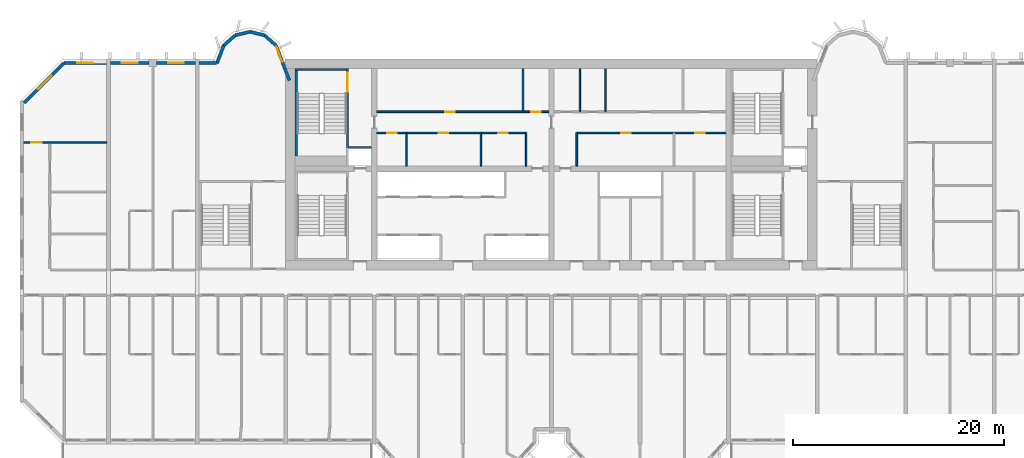
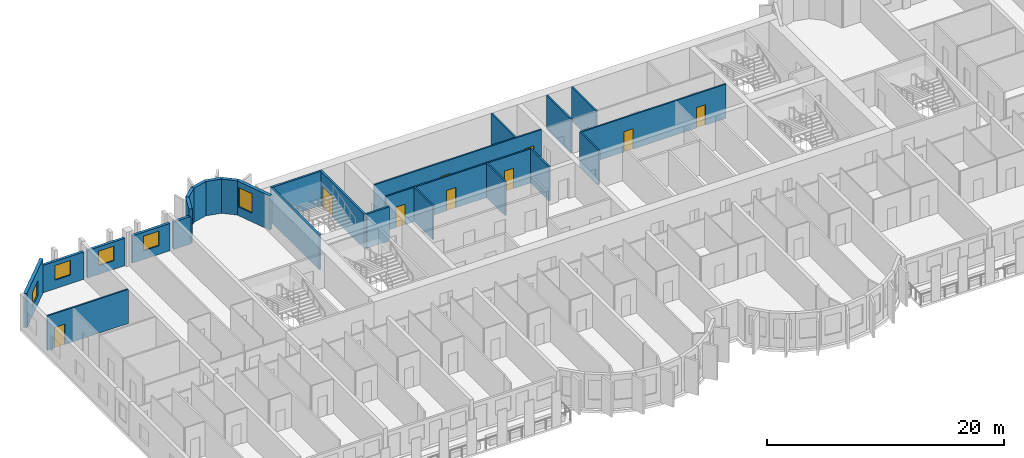
# One storey, part 7 of 15: 26 walls, 9 doors, 5 windows, 14 openings.
"""IFC4 building model written with IfcOpenShell, lengths in metres."""

from ifc_helpers import new_model, si_unit, direction, frame, frame_2d, origin, place, context, subcontext, project, spatial, rectangle, extrude, source, transform, mapped, material, layer, layer_set, type_object, element, fill, save


model = new_model("IFC4")

# Units and contexts
model_context = context("Model", 3, precision=1e-05, world=origin(), true_north=direction((0.0, 1.0)))
body_context = subcontext(model_context, "Body", "Model", "MODEL_VIEW")
ifc_project = project(units=[si_unit("LENGTHUNIT", "METRE"), si_unit("AREAUNIT", "SQUARE_METRE"), si_unit("VOLUMEUNIT", "CUBIC_METRE"), si_unit("PLANEANGLEUNIT", "RADIAN"), si_unit("MASSUNIT", "GRAM", prefix="KILO")], contexts=[model_context])

# Site, building, storey
site_placement = place(None, origin())
site = spatial("IfcSite", under=ifc_project, at=site_placement, CompositionType="ELEMENT")
building_placement = place(site_placement, origin())
building = spatial("IfcBuilding", under=site, at=building_placement, Name="Vanashikhar Sky Hotel", CompositionType="ELEMENT")
storey_placement = place(building_placement, frame((0.0, 0.0, 110.39990234375)))
storey = spatial("IfcBuildingStorey", under=building, at=storey_placement, Name="L26", CompositionType="ELEMENT", Elevation=110.39990234375)

# Wall, opening, window
ifc_material_1 = material(Name="Concrete M50", Category="concrete")
ifc_layer_1 = layer(ifc_material_1, 0.300048828125)
ifc_layer_set_1 = layer_set([ifc_layer_1], Name="Lobe wall 300")
wall_type_1 = type_object("IfcWallType", Name="Lobe wall 300", PredefinedType="SOLIDWALL", material=ifc_layer_set_1)
shared_shape_1 = source(origin(), body_context, "Body", "SweptSolid", [
    extrude(rectangle(XDim=5.32568359375, YDim=0.300048828125, at=frame_2d((2.662841796875, 0.0))), origin(), (0.0, 0.0, 1.0), 3.52001953125),
])
wall_1_placement = place(storey_placement, frame((4.165771484375, 41.60009765625, 0.0), z_axis=(0.0, 0.0, 1.0), x_axis=(-0.707106781187, -0.707106781187, 0.0)))
wall_1 = element("IfcWall", 1, at=wall_1_placement, inside=storey, type_object=wall_type_1, Name="Corner wall", PredefinedType="SOLIDWALL", context=body_context, shape_type="MappedRepresentation", body=[
    mapped(shared_shape_1, transform((0.0, 0.0, 0.0), scale=1.0)),
])
shared_shape_2 = source(origin(), body_context, "Body", "SweptSolid", [
    extrude(rectangle(XDim=1.800048828125, YDim=1.5, at=frame_2d((0.89990234375, 0.75))), frame((0.0, 0.16015625, 0.0), z_axis=(0.0, -1.0, 0.0), x_axis=(1.0, 0.0, 0.0)), (0.0, 0.0, 1.0), 0.320068359375),
])
opening_1_placement = place(wall_1_placement, frame((1.671875, 0.0, 0.89990234375)))
opening_1 = element("IfcOpeningElement", 2, at=opening_1_placement, cuts=wall_1, Name="Opening WN-4", PredefinedType="OPENING", context=body_context, shape_type="MappedRepresentation", body=[
    mapped(shared_shape_2, transform((0.0, 0.0, 0.0), scale=1.0)),
])
ifc_material_2 = material(Name="Glass", Category="glass")
window_type_1 = type_object("IfcWindowType", Name="Corner window 1800 x 1500", PartitioningType="SINGLE_PANEL", PredefinedType="WINDOW", material=ifc_material_2)
shared_shape_3 = source(origin(), body_context, "Body", "SweptSolid", [
    extrude(rectangle(XDim=1.800048828125, YDim=1.5, at=frame_2d((0.89990234375, 0.75))), frame((0.0, 0.030029296875, 0.0), z_axis=(0.0, -1.0, 0.0), x_axis=(1.0, 0.0, 0.0)), (0.0, 0.0, 1.0), 0.06005859375),
])
window_1_placement = place(opening_1_placement, origin())
window_1 = element("IfcWindow", 3, at=window_1_placement, inside=storey, type_object=window_type_1, Name="Window WN-4", OverallHeight=1.5, OverallWidth=1.800048828125, PartitioningType="SINGLE_PANEL", PredefinedType="WINDOW", context=body_context, shape_type="MappedRepresentation", body=[
    mapped(shared_shape_3, transform((0.0, 0.0, 0.0), scale=1.0)),
])
fill(opening_1, window_1)

shared_shape_4 = source(origin(), body_context, "Body", "SweptSolid", [
    extrude(rectangle(XDim=3.55908203125, YDim=0.300048828125, at=frame_2d((1.779541015625, 0.0))), origin(), (0.0, 0.0, 1.0), 3.52001953125),
])
wall_2_placement = place(storey_placement, frame((25.550048828125, 39.968505859375, 0.0), z_axis=(0.0, 0.0, 1.0), x_axis=(-0.35779745313, 0.933799219604, 0.0)))
wall_2 = element("IfcWall", 4, at=wall_2_placement, inside=storey, type_object=wall_type_1, Name="Lobe wall", PredefinedType="SOLIDWALL", context=body_context, shape_type="MappedRepresentation", body=[
    mapped(shared_shape_4, transform((0.0, 0.0, 0.0), scale=1.0)),
])
shared_shape_5 = source(origin(), body_context, "Body", "SweptSolid", [
    extrude(rectangle(XDim=1.5, YDim=2.0, at=frame_2d((0.75, 1.0))), frame((0.0, 0.16015625, 0.0), z_axis=(0.0, -1.0, 0.0), x_axis=(1.0, 0.0, 0.0)), (0.0, 0.0, 1.0), 0.320068359375),
])
opening_2_placement = place(wall_2_placement, frame((1.9033203125, 0.0, 0.89990234375)))
opening_2 = element("IfcOpeningElement", 5, at=opening_2_placement, cuts=wall_2, Name="Opening WN-2", PredefinedType="OPENING", context=body_context, shape_type="MappedRepresentation", body=[
    mapped(shared_shape_5, transform((0.0, 0.0, 0.0), scale=1.0)),
])
window_type_2 = type_object("IfcWindowType", Name="Lobe window 1500 x 2000", PartitioningType="SINGLE_PANEL", PredefinedType="WINDOW", material=ifc_material_2)
shared_shape_6 = source(origin(), body_context, "Body", "SweptSolid", [
    extrude(rectangle(XDim=1.5, YDim=2.0, at=frame_2d((0.75, 1.0))), frame((0.0, 0.030029296875, 0.0), z_axis=(0.0, -1.0, 0.0), x_axis=(1.0, 0.0, 0.0)), (0.0, 0.0, 1.0), 0.06005859375),
])
window_2_placement = place(opening_2_placement, origin())
window_2 = element("IfcWindow", 6, at=window_2_placement, inside=storey, type_object=window_type_2, Name="Window WN-2", OverallHeight=2.0, OverallWidth=1.5, PartitioningType="SINGLE_PANEL", PredefinedType="WINDOW", context=body_context, shape_type="MappedRepresentation", body=[
    mapped(shared_shape_6, transform((0.0, 0.0, 0.0), scale=1.0)),
])
fill(opening_2, window_2)

# Walls
shared_shape_7 = source(origin(), body_context, "Body", "SweptSolid", [
    extrude(rectangle(XDim=1.440185546875, YDim=0.300048828125, at=frame_2d((0.72021484375, 0.0))), origin(), (0.0, 0.0, 1.0), 3.52001953125),
])
wall_3_placement = place(storey_placement, frame((24.276611328125, 43.2919921875, 0.0), z_axis=(0.0, 0.0, 1.0), x_axis=(-0.749649827867, 0.661834673902, 0.0)))
element("IfcWall", 7, at=wall_3_placement, inside=storey, type_object=wall_type_1, Name="Lobe wall", PredefinedType="SOLIDWALL", context=body_context, shape_type="MappedRepresentation", body=[
    mapped(shared_shape_7, transform((0.0, 0.0, 0.0), scale=1.0)),
])
shared_shape_8 = source(origin(), body_context, "Body", "SweptSolid", [
    extrude(rectangle(XDim=1.4384765625, YDim=0.300048828125, at=frame_2d((0.71923828125, 0.0))), origin(), (0.0, 0.0, 1.0), 3.52001953125),
])
wall_4_placement = place(storey_placement, frame((23.197021484375, 44.2451171875, 0.0), z_axis=(0.0, 0.0, 1.0), x_axis=(-0.971152283879, 0.238460146601, 0.0)))
element("IfcWall", 8, at=wall_4_placement, inside=storey, type_object=wall_type_1, Name="Lobe wall", PredefinedType="SOLIDWALL", context=body_context, shape_type="MappedRepresentation", body=[
    mapped(shared_shape_8, transform((0.0, 0.0, 0.0), scale=1.0)),
])
shared_shape_9 = source(origin(), body_context, "Body", "SweptSolid", [
    extrude(rectangle(XDim=1.438720703125, YDim=0.300048828125, at=frame_2d((0.71923828125, 0.0))), origin(), (0.0, 0.0, 1.0), 3.52001953125),
])
wall_5_placement = place(storey_placement, frame((21.800048828125, 44.588134765625, 0.0), z_axis=(0.0, 0.0, 1.0), x_axis=(-0.971161932466, -0.238420848351, 0.0)))
element("IfcWall", 9, at=wall_5_placement, inside=storey, type_object=wall_type_1, Name="Lobe wall", PredefinedType="SOLIDWALL", context=body_context, shape_type="MappedRepresentation", body=[
    mapped(shared_shape_9, transform((0.0, 0.0, 0.0), scale=1.0)),
])
shared_shape_10 = source(origin(), body_context, "Body", "SweptSolid", [
    extrude(rectangle(XDim=1.43994140625, YDim=0.300048828125, at=frame_2d((0.719970703125, 0.0))), origin(), (0.0, 0.0, 1.0), 3.52001953125),
])
wall_6_placement = place(storey_placement, frame((20.40283203125, 44.2451171875, 0.0), z_axis=(0.0, 0.0, 1.0), x_axis=(-0.74957555648, -0.661918790432, 0.0)))
element("IfcWall", 10, at=wall_6_placement, inside=storey, type_object=wall_type_1, Name="Lobe wall", PredefinedType="SOLIDWALL", context=body_context, shape_type="MappedRepresentation", body=[
    mapped(shared_shape_10, transform((0.0, 0.0, 0.0), scale=1.0)),
])
shared_shape_11 = source(origin(), body_context, "Body", "SweptSolid", [
    extrude(rectangle(XDim=1.81201171875, YDim=0.300048828125, at=frame_2d((0.906005859375, 0.0))), origin(), (0.0, 0.0, 1.0), 3.52001953125),
])
wall_7_placement = place(storey_placement, frame((19.323486328125, 43.2919921875, 0.0), z_axis=(0.0, 0.0, 1.0), x_axis=(-0.357877270961, -0.93376863244, 0.0)))
element("IfcWall", 11, at=wall_7_placement, inside=storey, type_object=wall_type_1, Name="Lobe wall", PredefinedType="SOLIDWALL", context=body_context, shape_type="MappedRepresentation", body=[
    mapped(shared_shape_11, transform((0.0, 0.0, 0.0), scale=1.0)),
])

# Wall, opening, window
ifc_layer_2 = layer(ifc_material_1, 0.25)
ifc_layer_set_2 = layer_set([ifc_layer_2], Name="Rear and end board-marked wall 250")
wall_type_2 = type_object("IfcWallType", Name="Rear and end board-marked wall 250", PredefinedType="SOLIDWALL", material=ifc_layer_set_2)
shared_shape_12 = source(origin(), body_context, "Body", "SweptSolid", [
    extrude(rectangle(XDim=4.06982421875, YDim=0.25, at=frame_2d((2.034912109375, 0.0))), origin(), (0.0, 0.0, 1.0), 2.820068359375),
])
wall_8_placement = place(storey_placement, frame((8.22509765625, 41.625, 0.0), z_axis=(0.0, 0.0, 1.0), x_axis=(-1.0, 0.0, 0.0)))
wall_8 = element("IfcWall", 12, at=wall_8_placement, inside=storey, type_object=wall_type_2, Name="Rear board-marked wall", PredefinedType="SOLIDWALL", context=body_context, shape_type="MappedRepresentation", body=[
    mapped(shared_shape_12, transform((0.0, 0.0, 0.0), scale=1.0)),
])
shared_shape_13 = source(origin(), body_context, "Body", "SweptSolid", [
    extrude(rectangle(XDim=1.5, YDim=1.5, at=frame_2d((0.75, 0.75))), frame((0.0, 0.135009765625, 0.0), z_axis=(0.0, -1.0, 0.0), x_axis=(1.0, 0.0, 0.0)), (0.0, 0.0, 1.0), 0.27001953125),
])
opening_3_placement = place(wall_8_placement, frame((1.284912109375, 0.0, 0.89990234375)))
opening_3 = element("IfcOpeningElement", 13, at=opening_3_placement, cuts=wall_8, Name="Opening WN-1", PredefinedType="OPENING", context=body_context, shape_type="MappedRepresentation", body=[
    mapped(shared_shape_13, transform((0.0, 0.0, 0.0), scale=1.0)),
])
window_type_3 = type_object("IfcWindowType", Name="Window 1500 x 1500", PartitioningType="SINGLE_PANEL", PredefinedType="WINDOW", material=ifc_material_2)
shared_shape_14 = source(origin(), body_context, "Body", "SweptSolid", [
    extrude(rectangle(XDim=1.5, YDim=1.5, at=frame_2d((0.75, 0.75))), frame((0.0, 0.030029296875, 0.0), z_axis=(0.0, -1.0, 0.0), x_axis=(1.0, 0.0, 0.0)), (0.0, 0.0, 1.0), 0.06005859375),
])
window_3_placement = place(opening_3_placement, origin())
window_3 = element("IfcWindow", 14, at=window_3_placement, inside=storey, type_object=window_type_3, Name="Window WN-1", OverallHeight=1.5, OverallWidth=1.5, PartitioningType="SINGLE_PANEL", PredefinedType="WINDOW", context=body_context, shape_type="MappedRepresentation", body=[
    mapped(shared_shape_14, transform((0.0, 0.0, 0.0), scale=1.0)),
])
fill(opening_3, window_3)

shared_shape_15 = source(origin(), body_context, "Body", "SweptSolid", [
    extrude(rectangle(XDim=3.675048828125, YDim=0.25, at=frame_2d((1.83740234375, 0.0))), origin(), (0.0, 0.0, 1.0), 2.820068359375),
])
wall_9_placement = place(storey_placement, frame((12.25, 41.625, 0.0), z_axis=(0.0, 0.0, 1.0), x_axis=(-1.0, 0.0, 0.0)))
wall_9 = element("IfcWall", 15, at=wall_9_placement, inside=storey, type_object=wall_type_2, Name="Rear board-marked wall", PredefinedType="SOLIDWALL", context=body_context, shape_type="MappedRepresentation", body=[
    mapped(shared_shape_15, transform((0.0, 0.0, 0.0), scale=1.0)),
])
opening_4_placement = place(wall_9_placement, frame((1.08740234375, 0.0, 0.89990234375)))
opening_4 = element("IfcOpeningElement", 16, at=opening_4_placement, cuts=wall_9, Name="Opening WN-1", PredefinedType="OPENING", context=body_context, shape_type="MappedRepresentation", body=[
    mapped(shared_shape_13, transform((0.0, 0.0, 0.0), scale=1.0)),
])
window_4_placement = place(opening_4_placement, origin())
window_4 = element("IfcWindow", 17, at=window_4_placement, inside=storey, type_object=window_type_3, Name="Window WN-1", OverallHeight=1.5, OverallWidth=1.5, PartitioningType="SINGLE_PANEL", PredefinedType="WINDOW", context=body_context, shape_type="MappedRepresentation", body=[
    mapped(shared_shape_14, transform((0.0, 0.0, 0.0), scale=1.0)),
])
fill(opening_4, window_4)

wall_10_placement = place(storey_placement, frame((16.625, 41.625, 0.0), z_axis=(0.0, 0.0, 1.0), x_axis=(-1.0, 0.0, 0.0)))
wall_10 = element("IfcWall", 18, at=wall_10_placement, inside=storey, type_object=wall_type_2, Name="Rear board-marked wall", PredefinedType="SOLIDWALL", context=body_context, shape_type="MappedRepresentation", body=[
    mapped(shared_shape_15, transform((0.0, 0.0, 0.0), scale=1.0)),
])
opening_5_placement = place(wall_10_placement, frame((1.08740234375, 0.0, 0.89990234375)))
opening_5 = element("IfcOpeningElement", 19, at=opening_5_placement, cuts=wall_10, Name="Opening WN-1", PredefinedType="OPENING", context=body_context, shape_type="MappedRepresentation", body=[
    mapped(shared_shape_13, transform((0.0, 0.0, 0.0), scale=1.0)),
])
window_5_placement = place(opening_5_placement, origin())
window_5 = element("IfcWindow", 20, at=window_5_placement, inside=storey, type_object=window_type_3, Name="Window WN-1", OverallHeight=1.5, OverallWidth=1.5, PartitioningType="SINGLE_PANEL", PredefinedType="WINDOW", context=body_context, shape_type="MappedRepresentation", body=[
    mapped(shared_shape_14, transform((0.0, 0.0, 0.0), scale=1.0)),
])
fill(opening_5, window_5)

# Walls
shared_shape_16 = source(origin(), body_context, "Body", "SweptSolid", [
    extrude(rectangle(XDim=1.682861328125, YDim=0.25, at=frame_2d((0.84130859375, 0.0))), origin(), (0.0, 0.0, 1.0), 2.820068359375),
])
wall_11_placement = place(storey_placement, frame((18.657958984375, 41.625, 0.0), z_axis=(0.0, 0.0, 1.0), x_axis=(-1.0, 0.0, 0.0)))
element("IfcWall", 21, at=wall_11_placement, inside=storey, type_object=wall_type_2, Name="Rear board-marked wall", PredefinedType="SOLIDWALL", context=body_context, shape_type="MappedRepresentation", body=[
    mapped(shared_shape_16, transform((0.0, 0.0, 0.0), scale=1.0)),
])
ifc_material_3 = material(Name="Gypsum board partition")
ifc_layer_3 = layer(ifc_material_3, 0.14990234375)
ifc_layer_set_3 = layer_set([ifc_layer_3], Name="Service partition 150")
wall_type_3 = type_object("IfcWallType", Name="Service partition 150", PredefinedType="PARTITIONING", material=ifc_layer_set_3)
shared_shape_17 = source(origin(), body_context, "Body", "SweptSolid", [
    extrude(rectangle(XDim=3.14990234375, YDim=0.14990234375, at=frame_2d((1.574951171875, 0.0))), origin(), (0.0, 0.0, 1.0), 3.52001953125),
])
for number, where, z_axis, x_axis, name in (
    (22, (48.0, 31.85009765625, 0.0), (0.0, 0.0, 1.0), (0.0, 1.0, 0.0), "Service partition 150"),
    (23, (36.6650390625, 31.85009765625, 0.0), (0.0, 0.0, 1.0), (0.0, 1.0, 0.0), "Service partition 150"),
    (24, (43.702880859375, 31.85009765625, 0.0), (0.0, 0.0, 1.0), (0.0, 1.0, 0.0), "Service partition 150"),
    (25, (52.800048828125, 31.85009765625, 0.0), (0.0, 0.0, 1.0), (0.0, 1.0, 0.0), "Service partition 150"),
):
    element("IfcWall", number, at=place(storey_placement, frame(where, z_axis=z_axis, x_axis=x_axis)), inside=storey, type_object=wall_type_3, Name=name, PredefinedType="PARTITIONING", context=body_context, shape_type="MappedRepresentation", body=[
        mapped(shared_shape_17, transform((0.0, 0.0, 0.0), scale=1.0)),
    ])

# Wall, openings, doors
shared_shape_18 = source(origin(), body_context, "Body", "SweptSolid", [
    extrude(rectangle(XDim=14.14990234375, YDim=0.14990234375, at=frame_2d((7.074951171875, 0.0))), origin(), (0.0, 0.0, 1.0), 3.52001953125),
])
wall_12_placement = place(storey_placement, frame((33.85009765625, 35.0, 0.0), z_axis=(0.0, 0.0, 1.0), x_axis=(1.0, 0.0, 0.0)))
wall_12 = element("IfcWall", 26, at=wall_12_placement, inside=storey, type_object=wall_type_3, Name="Service partition 150", PredefinedType="PARTITIONING", context=body_context, shape_type="MappedRepresentation", body=[
    mapped(shared_shape_18, transform((0.0, 0.0, 0.0), scale=1.0)),
])
shared_shape_19 = source(origin(), body_context, "Body", "SweptSolid", [
    extrude(rectangle(XDim=0.89990234375, YDim=2.10009765625, at=frame_2d((0.449951171875, 1.050048828125))), frame((0.0, 0.0849609375, 0.0), z_axis=(0.0, -1.0, 0.0), x_axis=(1.0, 0.0, 0.0)), (0.0, 0.0, 1.0), 0.169921875),
])
opening_6_placement = place(wall_12_placement, frame((0.9580078125, 0.0, 0.0)))
opening_6 = element("IfcOpeningElement", 27, at=opening_6_placement, cuts=wall_12, Name="Opening DC-4-A", PredefinedType="OPENING", context=body_context, shape_type="MappedRepresentation", body=[
    mapped(shared_shape_19, transform((0.0, 0.0, 0.0), scale=1.0)),
])
opening_7_placement = place(wall_12_placement, frame((5.884033203125, 0.0, 0.0)))
opening_7 = element("IfcOpeningElement", 28, at=opening_7_placement, cuts=wall_12, Name="Opening DC-4-A", PredefinedType="OPENING", context=body_context, shape_type="MappedRepresentation", body=[
    mapped(shared_shape_19, transform((0.0, 0.0, 0.0), scale=1.0)),
])
opening_8_placement = place(wall_12_placement, frame((11.513916015625, 0.0, 0.0)))
opening_8 = element("IfcOpeningElement", 29, at=opening_8_placement, cuts=wall_12, Name="Opening DC-4-A", PredefinedType="OPENING", context=body_context, shape_type="MappedRepresentation", body=[
    mapped(shared_shape_19, transform((0.0, 0.0, 0.0), scale=1.0)),
])
ifc_material_4 = material(Name="Steel", Category="steel")
door_type_1 = type_object("IfcDoorType", Name="Service door 900 FD60", OperationType="NOTDEFINED", PredefinedType="DOOR", material=ifc_material_4)
shared_shape_20 = source(origin(), body_context, "Body", "SweptSolid", [
    extrude(rectangle(XDim=0.89990234375, YDim=2.10009765625, at=frame_2d((0.449951171875, 1.050048828125))), frame((0.0, 0.02490234375, 0.0), z_axis=(0.0, -1.0, 0.0), x_axis=(1.0, 0.0, 0.0)), (0.0, 0.0, 1.0), 0.050048828125),
])
door_1_placement = place(opening_6_placement, origin())
door_1 = element("IfcDoor", 30, at=door_1_placement, inside=storey, type_object=door_type_1, Name="Service door 900 FD60", OperationType="SINGLE_SWING_RIGHT", OverallHeight=2.10009765625, OverallWidth=0.89990234375, PredefinedType="DOOR", context=body_context, shape_type="MappedRepresentation", body=[
    mapped(shared_shape_20, transform((0.0, 0.0, 0.0), scale=1.0)),
])
fill(opening_6, door_1)
door_2_placement = place(opening_7_placement, origin())
door_2 = element("IfcDoor", 31, at=door_2_placement, inside=storey, type_object=door_type_1, Name="Service door 900 FD60", OperationType="SINGLE_SWING_RIGHT", OverallHeight=2.10009765625, OverallWidth=0.89990234375, PredefinedType="DOOR", context=body_context, shape_type="MappedRepresentation", body=[
    mapped(shared_shape_20, transform((0.0, 0.0, 0.0), scale=1.0)),
])
fill(opening_7, door_2)
door_3_placement = place(opening_8_placement, origin())
door_3 = element("IfcDoor", 32, at=door_3_placement, inside=storey, type_object=door_type_1, Name="Service door 900 FD60", OperationType="SINGLE_SWING_LEFT", OverallHeight=2.10009765625, OverallWidth=0.89990234375, PredefinedType="DOOR", context=body_context, shape_type="MappedRepresentation", body=[
    mapped(shared_shape_20, transform((0.0, 0.0, 0.0), scale=1.0)),
])
fill(opening_8, door_3)

wall_13_placement = place(storey_placement, frame((66.949951171875, 35.0, 0.0), z_axis=(0.0, 0.0, 1.0), x_axis=(-1.0, 0.0, 0.0)))
wall_13 = element("IfcWall", 33, at=wall_13_placement, inside=storey, type_object=wall_type_3, Name="Service partition 150", PredefinedType="PARTITIONING", context=body_context, shape_type="MappedRepresentation", body=[
    mapped(shared_shape_18, transform((0.0, 0.0, 0.0), scale=1.0)),
])
opening_9_placement = place(wall_13_placement, frame((2.012939453125, 0.0, 0.0)))
opening_9 = element("IfcOpeningElement", 34, at=opening_9_placement, cuts=wall_13, Name="Opening DC-4-A", PredefinedType="OPENING", context=body_context, shape_type="MappedRepresentation", body=[
    mapped(shared_shape_19, transform((0.0, 0.0, 0.0), scale=1.0)),
])
opening_10_placement = place(wall_13_placement, frame((9.051025390625, 0.0, 0.0)))
opening_10 = element("IfcOpeningElement", 35, at=opening_10_placement, cuts=wall_13, Name="Opening DC-4-A", PredefinedType="OPENING", context=body_context, shape_type="MappedRepresentation", body=[
    mapped(shared_shape_19, transform((0.0, 0.0, 0.0), scale=1.0)),
])
door_4_placement = place(opening_9_placement, origin())
door_4 = element("IfcDoor", 36, at=door_4_placement, inside=storey, type_object=door_type_1, Name="Service door 900 FD60", OperationType="SINGLE_SWING_LEFT", OverallHeight=2.10009765625, OverallWidth=0.89990234375, PredefinedType="DOOR", context=body_context, shape_type="MappedRepresentation", body=[
    mapped(shared_shape_20, transform((0.0, 0.0, 0.0), scale=1.0)),
])
fill(opening_9, door_4)
door_5_placement = place(opening_10_placement, origin())
door_5 = element("IfcDoor", 37, at=door_5_placement, inside=storey, type_object=door_type_1, Name="Service door 900 FD60", OperationType="SINGLE_SWING_LEFT", OverallHeight=2.10009765625, OverallWidth=0.89990234375, PredefinedType="DOOR", context=body_context, shape_type="MappedRepresentation", body=[
    mapped(shared_shape_20, transform((0.0, 0.0, 0.0), scale=1.0)),
])
fill(opening_10, door_5)

shared_shape_21 = source(origin(), body_context, "Body", "SweptSolid", [
    extrude(rectangle(XDim=16.2998046875, YDim=0.14990234375, at=frame_2d((8.14990234375, 0.0))), origin(), (0.0, 0.0, 1.0), 3.52001953125),
])
wall_14_placement = place(storey_placement, frame((33.85009765625, 37.0, 0.0), z_axis=(0.0, 0.0, 1.0), x_axis=(1.0, 0.0, 0.0)))
wall_14 = element("IfcWall", 38, at=wall_14_placement, inside=storey, type_object=wall_type_3, Name="Service partition 150", PredefinedType="PARTITIONING", context=body_context, shape_type="MappedRepresentation", body=[
    mapped(shared_shape_21, transform((0.0, 0.0, 0.0), scale=1.0)),
])
opening_11_placement = place(wall_14_placement, frame((6.47802734375, 0.0, 0.0)))
opening_11 = element("IfcOpeningElement", 39, at=opening_11_placement, cuts=wall_14, Name="Opening DC-4-A", PredefinedType="OPENING", context=body_context, shape_type="MappedRepresentation", body=[
    mapped(shared_shape_19, transform((0.0, 0.0, 0.0), scale=1.0)),
])
opening_12_placement = place(wall_14_placement, frame((14.626953125, 0.0, 0.0)))
opening_12 = element("IfcOpeningElement", 40, at=opening_12_placement, cuts=wall_14, Name="Opening DC-4-A", PredefinedType="OPENING", context=body_context, shape_type="MappedRepresentation", body=[
    mapped(shared_shape_19, transform((0.0, 0.0, 0.0), scale=1.0)),
])
door_6_placement = place(opening_11_placement, origin())
door_6 = element("IfcDoor", 41, at=door_6_placement, inside=storey, type_object=door_type_1, Name="Service door 900 FD60", OperationType="SINGLE_SWING_RIGHT", OverallHeight=2.10009765625, OverallWidth=0.89990234375, PredefinedType="DOOR", context=body_context, shape_type="MappedRepresentation", body=[
    mapped(shared_shape_20, transform((0.0, 0.0, 0.0), scale=1.0)),
])
fill(opening_11, door_6)
door_7_placement = place(opening_12_placement, origin())
door_7 = element("IfcDoor", 42, at=door_7_placement, inside=storey, type_object=door_type_1, Name="Service door 900 FD60", OperationType="SINGLE_SWING_RIGHT", OverallHeight=2.10009765625, OverallWidth=0.89990234375, PredefinedType="DOOR", context=body_context, shape_type="MappedRepresentation", body=[
    mapped(shared_shape_20, transform((0.0, 0.0, 0.0), scale=1.0)),
])
fill(opening_12, door_7)

# Walls
shared_shape_22 = source(origin(), body_context, "Body", "SweptSolid", [
    extrude(rectangle(XDim=4.10009765625, YDim=0.14990234375, at=frame_2d((2.050048828125, 0.0))), origin(), (0.0, 0.0, 1.0), 3.52001953125),
])
for number, where, z_axis, x_axis, name in (
    (43, (47.705078125, 37.0, 0.0), (0.0, 0.0, 1.0), (0.0, 1.0, 0.0), "Service partition 150"),
    (44, (55.5400390625, 37.0, 0.0), (0.0, 0.0, 1.0), (0.0, 1.0, 0.0), "Service partition 150"),
    (45, (53.094970703125, 37.0, 0.0), (0.0, 0.0, 1.0), (0.0, 1.0, 0.0), "Service partition 150"),
):
    element("IfcWall", number, at=place(storey_placement, frame(where, z_axis=z_axis, x_axis=x_axis)), inside=storey, type_object=wall_type_3, Name=name, PredefinedType="PARTITIONING", context=body_context, shape_type="MappedRepresentation", body=[
        mapped(shared_shape_22, transform((0.0, 0.0, 0.0), scale=1.0)),
    ])
ifc_material_5 = material(Name="Concrete M40", Category="concrete")
ifc_layer_4 = layer(ifc_material_5, 0.199951171875)
ifc_layer_set_4 = layer_set([ifc_layer_4], Name="Shaft wall 200")
wall_type_4 = type_object("IfcWallType", Name="Shaft wall 200", PredefinedType="SOLIDWALL", material=ifc_layer_set_4)
shared_shape_23 = source(origin(), body_context, "Body", "SweptSolid", [
    extrude(rectangle(XDim=2.2001953125, YDim=0.199951171875, at=frame_2d((1.10009765625, 0.0))), origin(), (0.0, 0.0, 1.0), 3.52001953125),
])
wall_15_placement = place(storey_placement, frame((31.14990234375, 33.60009765625, 0.0), z_axis=(0.0, 0.0, 1.0), x_axis=(1.0, 0.0, 0.0)))
element("IfcWall", 46, at=wall_15_placement, inside=storey, type_object=wall_type_4, Name="Shaft wall 200", PredefinedType="SOLIDWALL", context=body_context, shape_type="MappedRepresentation", body=[
    mapped(shared_shape_23, transform((0.0, 0.0, 0.0), scale=1.0)),
])

# Wall, opening, door
ifc_layer_5 = layer(ifc_material_1, 0.199951171875)
ifc_layer_set_5 = layer_set([ifc_layer_5], Name="Stair wall 200")
wall_type_5 = type_object("IfcWallType", Name="Stair wall 200", PredefinedType="SOLIDWALL", material=ifc_layer_set_5)
shared_shape_24 = source(origin(), body_context, "Body", "SweptSolid", [
    extrude(rectangle(XDim=7.5, YDim=0.199951171875, at=frame_2d((3.75, 0.0))), origin(), (0.0, 0.0, 1.0), 3.52001953125),
])
wall_16_placement = place(storey_placement, frame((31.050048828125, 33.60009765625, 0.0), z_axis=(0.0, 0.0, 1.0), x_axis=(0.0, 1.0, 0.0)))
wall_16 = element("IfcWall", 47, at=wall_16_placement, inside=storey, type_object=wall_type_5, Name="Stair wall 200", PredefinedType="SOLIDWALL", context=body_context, shape_type="MappedRepresentation", body=[
    mapped(shared_shape_24, transform((0.0, 0.0, 0.0), scale=1.0)),
])
shared_shape_25 = source(origin(), body_context, "Body", "SweptSolid", [
    extrude(rectangle(XDim=1.800048828125, YDim=2.10009765625, at=frame_2d((0.89990234375, 1.050048828125))), frame((0.0, 0.10986328125, 0.0), z_axis=(0.0, -1.0, 0.0), x_axis=(1.0, 0.0, 0.0)), (0.0, 0.0, 1.0), 0.219970703125),
])
opening_13_placement = place(wall_16_placement, frame((5.300048828125, 0.0, 0.0)))
opening_13 = element("IfcOpeningElement", 48, at=opening_13_placement, cuts=wall_16, Name="Opening DC-1-A", PredefinedType="OPENING", context=body_context, shape_type="MappedRepresentation", body=[
    mapped(shared_shape_25, transform((0.0, 0.0, 0.0), scale=1.0)),
])
door_type_2 = type_object("IfcDoorType", Name="Stair door 1800 FD120", OperationType="NOTDEFINED", PredefinedType="DOOR", material=ifc_material_4)
shared_shape_26 = source(origin(), body_context, "Body", "SweptSolid", [
    extrude(rectangle(XDim=1.800048828125, YDim=2.10009765625, at=frame_2d((0.89990234375, 1.050048828125))), frame((0.0, 0.02490234375, 0.0), z_axis=(0.0, -1.0, 0.0), x_axis=(1.0, 0.0, 0.0)), (0.0, 0.0, 1.0), 0.050048828125),
])
door_8_placement = place(opening_13_placement, origin())
door_8 = element("IfcDoor", 49, at=door_8_placement, inside=storey, type_object=door_type_2, Name="Stair door 1800 FD120", OperationType="SINGLE_SWING_LEFT", OverallHeight=2.10009765625, OverallWidth=1.800048828125, PredefinedType="DOOR", context=body_context, shape_type="MappedRepresentation", body=[
    mapped(shared_shape_26, transform((0.0, 0.0, 0.0), scale=1.0)),
])
fill(opening_13, door_8)

# Walls
ifc_layer_6 = layer(ifc_material_1, 0.199951171875)
ifc_layer_set_6 = layer_set([ifc_layer_6], Name="Stair infill wall 200")
wall_type_6 = type_object("IfcWallType", Name="Stair infill wall 200", PredefinedType="SOLIDWALL", material=ifc_layer_set_6)
shared_shape_27 = source(origin(), body_context, "Body", "SweptSolid", [
    extrude(rectangle(XDim=4.849853515625, YDim=0.199951171875, at=frame_2d((2.4248046875, 0.0))), origin(), (0.0, 0.0, 1.0), 3.52001953125),
])
wall_17_placement = place(storey_placement, frame((26.10009765625, 41.0, 0.0), z_axis=(0.0, 0.0, 1.0), x_axis=(1.0, 0.0, 0.0)))
element("IfcWall", 50, at=wall_17_placement, inside=storey, type_object=wall_type_6, Name="Stair infill wall 200", PredefinedType="SOLIDWALL", context=body_context, shape_type="MappedRepresentation", body=[
    mapped(shared_shape_27, transform((0.0, 0.0, 0.0), scale=1.0)),
])
shared_shape_28 = source(origin(), body_context, "Body", "SweptSolid", [
    extrude(rectangle(XDim=8.099853515625, YDim=0.199951171875, at=frame_2d((4.0498046875, 0.0))), origin(), (0.0, 0.0, 1.0), 3.52001953125),
])
wall_18_placement = place(storey_placement, frame((26.199951171875, 32.800048828125, 0.0), z_axis=(0.0, 0.0, 1.0), x_axis=(0.0, 1.0, 0.0)))
element("IfcWall", 51, at=wall_18_placement, inside=storey, type_object=wall_type_6, Name="Stair infill wall 200", PredefinedType="SOLIDWALL", context=body_context, shape_type="MappedRepresentation", body=[
    mapped(shared_shape_28, transform((0.0, 0.0, 0.0), scale=1.0)),
])

# Wall, opening, door
ifc_material_6 = material(Name="Gypsum plasterboard partition")
ifc_layer_7 = layer(ifc_material_6, 0.14990234375)
ifc_layer_set_7 = layer_set([ifc_layer_7], Name="Corridor and demising partition 150")
wall_type_7 = type_object("IfcWallType", Name="Corridor and demising partition 150", PredefinedType="PARTITIONING", material=ifc_layer_set_7)
shared_shape_29 = source(origin(), body_context, "Body", "SweptSolid", [
    extrude(rectangle(XDim=7.875, YDim=0.14990234375, at=frame_2d((3.9375, 0.0))), origin(), (0.0, 0.0, 1.0), 3.52001953125),
])
wall_19_placement = place(storey_placement, frame((0.35009765625, 34.074951171875, 0.0), z_axis=(0.0, 0.0, 1.0), x_axis=(1.0, 0.0, 0.0)))
wall_19 = element("IfcWall", 52, at=wall_19_placement, inside=storey, type_object=wall_type_7, Name="W-L26-PW087", PredefinedType="PARTITIONING", context=body_context, shape_type="MappedRepresentation", body=[
    mapped(shared_shape_29, transform((0.0, 0.0, 0.0), scale=1.0)),
])
shared_shape_30 = source(origin(), body_context, "Body", "SweptSolid", [
    extrude(rectangle(XDim=1.0, YDim=2.10009765625, at=frame_2d((0.5, 1.050048828125))), frame((0.0, 0.0849609375, 0.0), z_axis=(0.0, -1.0, 0.0), x_axis=(1.0, 0.0, 0.0)), (0.0, 0.0, 1.0), 0.169921875),
])
opening_14_placement = place(wall_19_placement, frame((0.699951171875, 0.0, 0.0)))
opening_14 = element("IfcOpeningElement", 53, at=opening_14_placement, cuts=wall_19, Name="Opening D-01", PredefinedType="OPENING", context=body_context, shape_type="MappedRepresentation", body=[
    mapped(shared_shape_30, transform((0.0, 0.0, 0.0), scale=1.0)),
])
ifc_material_7 = material(Name="Timber fire door", Category="wood")
door_type_3 = type_object("IfcDoorType", Name="Guest entry door 1000 FD30S", OperationType="NOTDEFINED", PredefinedType="DOOR", material=ifc_material_7)
shared_shape_31 = source(origin(), body_context, "Body", "SweptSolid", [
    extrude(rectangle(XDim=1.0, YDim=2.10009765625, at=frame_2d((0.5, 1.050048828125))), frame((0.0, 0.02490234375, 0.0), z_axis=(0.0, -1.0, 0.0), x_axis=(1.0, 0.0, 0.0)), (0.0, 0.0, 1.0), 0.050048828125),
])
door_9_placement = place(opening_14_placement, origin())
door_9 = element("IfcDoor", 54, at=door_9_placement, inside=storey, type_object=door_type_3, Name="D-L26-049", OperationType="SINGLE_SWING_LEFT", OverallHeight=2.10009765625, OverallWidth=1.0, PredefinedType="DOOR", context=body_context, shape_type="MappedRepresentation", body=[
    mapped(shared_shape_31, transform((0.0, 0.0, 0.0), scale=1.0)),
])
fill(opening_14, door_9)

save(model, "model.ifc")
